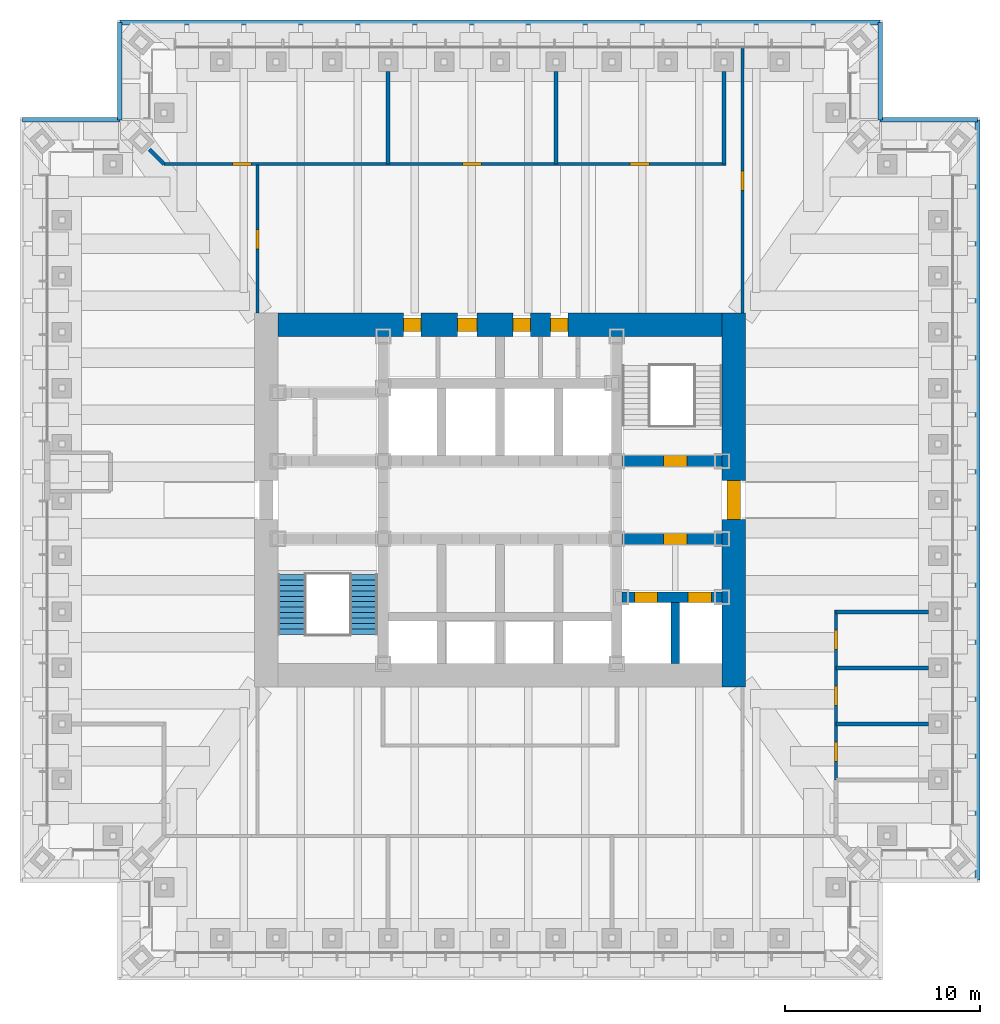
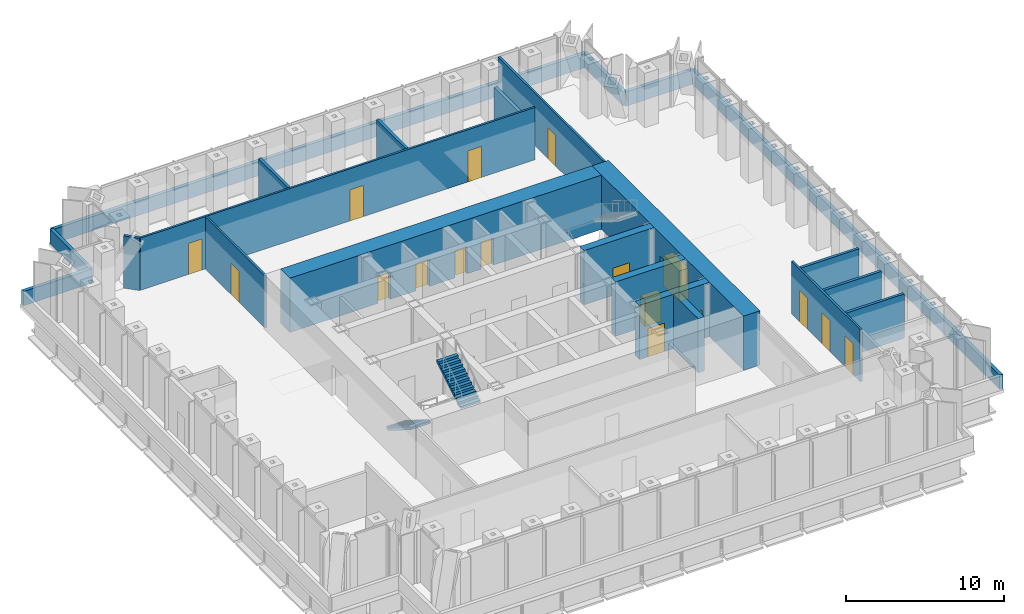
# One storey, part 10 of 13: 23 walls, 17 doors, 2 stair flights, 17 openings, 1 element without a shape of its own.
"""IFC4 building model written with IfcOpenShell, lengths in metres."""

from ifc_helpers import new_model, si_unit, direction, frame, frame_2d, origin, place, context, subcontext, project, spatial, polyline, rectangle, outline, extrude, material, layer, layer_set, type_object, element, fill, aggregate, save


model = new_model("IFC4")

# Units and contexts
model_context = context("Model", 3, precision=1e-05, world=origin(), true_north=direction((0.0, 1.0)))
body_context = subcontext(model_context, "Body", "Model", "MODEL_VIEW")
ifc_project = project(units=[si_unit("LENGTHUNIT", "METRE"), si_unit("AREAUNIT", "SQUARE_METRE"), si_unit("VOLUMEUNIT", "CUBIC_METRE"), si_unit("PLANEANGLEUNIT", "RADIAN"), si_unit("MASSUNIT", "GRAM", prefix="KILO")], contexts=[model_context])

# Site, building, storey
site_placement = place(None, origin())
site = spatial("IfcSite", under=ifc_project, at=site_placement, CompositionType="ELEMENT")
building_placement = place(site_placement, origin())
building = spatial("IfcBuilding", under=site, at=building_placement, Name="Daluyong Arena Tower", CompositionType="ELEMENT")
storey_placement = place(building_placement, frame((0.0, 0.0, 108.10009765625)))
storey = spatial("IfcBuildingStorey", under=building, at=storey_placement, Name="L23", CompositionType="ELEMENT", Elevation=108.10009765625)

# Wall, openings, doors
ifc_material_1 = material(Name="Concrete fc' 45 MPa", Category="concrete")
ifc_layer_1 = layer(ifc_material_1, 0.550048828125)
ifc_layer_set_1 = layer_set([ifc_layer_1], Name="Concrete fc' 45 MPa")
wall_type_1 = type_object("IfcWallType", Name="Core inner wall 550", PredefinedType="SHEAR", material=ifc_layer_set_1)
wall_1_placement = place(storey_placement, frame((62.27490234375, 75.0, 0.0), z_axis=(0.0, 0.0, 1.0), x_axis=(1.0, 0.0, 0.0)))
wall_1 = element("IfcWall", 1, at=wall_1_placement, inside=storey, type_object=wall_type_1, Name="core inner wall at L23", PredefinedType="SHEAR", context=body_context, shape_type="SweptSolid", body=[
    extrude(rectangle(XDim=5.125, YDim=0.550048828125, at=frame_2d((2.5625, 0.0))), origin(), (0.0, 0.0, 1.0), 4.199951171875),
])
opening_1_placement = place(wall_1_placement, frame((0.625, 0.0, 0.0)))
opening_1 = element("IfcOpeningElement", 2, at=opening_1_placement, cuts=wall_1, Name="Opening 23024", PredefinedType="OPENING", context=body_context, shape_type="SweptSolid", body=[
    extrude(rectangle(XDim=1.199951171875, YDim=2.199951171875, at=frame_2d((0.60009765625, 1.10009765625))), frame((0.0, 0.284912109375, 0.0), z_axis=(0.0, -1.0, 0.0), x_axis=(1.0, 0.0, 0.0)), (0.0, 0.0, 1.0), 0.570068359375),
])
opening_2_placement = place(wall_1_placement, frame((3.375, 0.0, 0.0)))
opening_2 = element("IfcOpeningElement", 3, at=opening_2_placement, cuts=wall_1, Name="Opening 23025", PredefinedType="OPENING", context=body_context, shape_type="SweptSolid", body=[
    extrude(rectangle(XDim=1.199951171875, YDim=2.199951171875, at=frame_2d((0.60009765625, 1.10009765625))), frame((0.0, 0.284912109375, 0.0), z_axis=(0.0, -1.0, 0.0), x_axis=(1.0, 0.0, 0.0)), (0.0, 0.0, 1.0), 0.570068359375),
])
ifc_material_2 = material(Name="Steel door, fire rated", Category="steel")
door_type_1 = type_object("IfcDoorType", Name="Firefighting lift landing door 1200", OperationType="SLIDING_TO_LEFT", PredefinedType="DOOR", material=ifc_material_2)
door_1_placement = place(opening_1_placement, origin())
door_1 = element("IfcDoor", 4, at=door_1_placement, inside=storey, type_object=door_type_1, Name="firefighting lift landing door F1 23024", OperationType="SLIDING_TO_LEFT", OverallHeight=2.199951171875, OverallWidth=1.199951171875, PredefinedType="DOOR", context=body_context, shape_type="SweptSolid", body=[
    extrude(rectangle(XDim=1.199951171875, YDim=2.199951171875, at=frame_2d((0.60009765625, 1.10009765625))), frame((0.0, 0.27490234375, 0.0), z_axis=(0.0, -1.0, 0.0), x_axis=(1.0, 0.0, 0.0)), (0.0, 0.0, 1.0), 0.549560546875),
])
fill(opening_1, door_1)
door_2_placement = place(opening_2_placement, origin())
door_2 = element("IfcDoor", 5, at=door_2_placement, inside=storey, type_object=door_type_1, Name="firefighting lift landing door F2 23025", OperationType="SLIDING_TO_LEFT", OverallHeight=2.199951171875, OverallWidth=1.199951171875, PredefinedType="DOOR", context=body_context, shape_type="SweptSolid", body=[
    extrude(rectangle(XDim=1.199951171875, YDim=2.199951171875, at=frame_2d((0.60009765625, 1.10009765625))), frame((0.0, 0.27490234375, 0.0), z_axis=(0.0, -1.0, 0.0), x_axis=(1.0, 0.0, 0.0)), (0.0, 0.0, 1.0), 0.549560546875),
])
fill(opening_2, door_2)

# Wall, opening, door
wall_2_placement = place(storey_placement, frame((62.27490234375, 78.0, 0.0), z_axis=(0.0, 0.0, 1.0), x_axis=(1.0, 0.0, 0.0)))
wall_2 = element("IfcWall", 6, at=wall_2_placement, inside=storey, type_object=wall_type_1, Name="core inner wall at L23", PredefinedType="SHEAR", context=body_context, shape_type="SweptSolid", body=[
    extrude(rectangle(XDim=5.125, YDim=0.550048828125, at=frame_2d((2.5625, 0.0))), origin(), (0.0, 0.0, 1.0), 4.199951171875),
])
opening_3_placement = place(wall_2_placement, frame((2.125, 0.0, 0.0)))
opening_3 = element("IfcOpeningElement", 7, at=opening_3_placement, cuts=wall_2, Name="Opening 23019", PredefinedType="OPENING", context=body_context, shape_type="SweptSolid", body=[
    extrude(rectangle(XDim=1.199951171875, YDim=2.10009765625, at=frame_2d((0.60009765625, 1.050048828125))), frame((0.0, 0.284912109375, 0.0), z_axis=(0.0, -1.0, 0.0), x_axis=(1.0, 0.0, 0.0)), (0.0, 0.0, 1.0), 0.570068359375),
])
ifc_material_3 = material(Name="Steel door, fire rated", Category="steel")
door_type_2 = type_object("IfcDoorType", Name="Firefighting lobby door 1200", OperationType="SINGLE_SWING_RIGHT", PredefinedType="DOOR", material=ifc_material_3)
door_3_placement = place(opening_3_placement, origin())
door_3 = element("IfcDoor", 8, at=door_3_placement, inside=storey, type_object=door_type_2, Name="firefighting lobby door 23019", OperationType="SINGLE_SWING_RIGHT", OverallHeight=2.10009765625, OverallWidth=1.199951171875, PredefinedType="DOOR", context=body_context, shape_type="SweptSolid", body=[
    extrude(rectangle(XDim=1.199951171875, YDim=2.10009765625, at=frame_2d((0.60009765625, 1.050048828125))), frame((0.0, 0.27490234375, 0.0), z_axis=(0.0, -1.0, 0.0), x_axis=(1.0, 0.0, 0.0)), (0.0, 0.0, 1.0), 0.549560546875),
])
fill(opening_3, door_3)

wall_3_placement = place(storey_placement, frame((62.27490234375, 82.0, 0.0), z_axis=(0.0, 0.0, 1.0), x_axis=(1.0, 0.0, 0.0)))
wall_3 = element("IfcWall", 9, at=wall_3_placement, inside=storey, type_object=wall_type_1, Name="core inner wall at L23", PredefinedType="SHEAR", context=body_context, shape_type="SweptSolid", body=[
    extrude(rectangle(XDim=5.125, YDim=0.550048828125, at=frame_2d((2.5625, 0.0))), origin(), (0.0, 0.0, 1.0), 4.199951171875),
])
opening_4_placement = place(wall_3_placement, frame((2.125, 0.0, 0.0)))
opening_4 = element("IfcOpeningElement", 10, at=opening_4_placement, cuts=wall_3, Name="Opening 23014", PredefinedType="OPENING", context=body_context, shape_type="SweptSolid", body=[
    extrude(rectangle(XDim=1.199951171875, YDim=2.10009765625, at=frame_2d((0.60009765625, 1.050048828125))), frame((0.0, 0.284912109375, 0.0), z_axis=(0.0, -1.0, 0.0), x_axis=(1.0, 0.0, 0.0)), (0.0, 0.0, 1.0), 0.570068359375),
])
ifc_material_4 = material(Name="Steel door, fire rated", Category="steel")
door_type_3 = type_object("IfcDoorType", Name="Stair door 1200", OperationType="SINGLE_SWING_LEFT", PredefinedType="DOOR", material=ifc_material_4)
door_4_placement = place(opening_4_placement, origin())
door_4 = element("IfcDoor", 11, at=door_4_placement, inside=storey, type_object=door_type_3, Name="stair B door 23014", OperationType="SINGLE_SWING_LEFT", OverallHeight=2.10009765625, OverallWidth=1.199951171875, PredefinedType="DOOR", context=body_context, shape_type="SweptSolid", body=[
    extrude(rectangle(XDim=1.199951171875, YDim=2.10009765625, at=frame_2d((0.60009765625, 1.050048828125))), frame((0.0, 0.27490234375, 0.0), z_axis=(0.0, -1.0, 0.0), x_axis=(1.0, 0.0, 0.0)), (0.0, 0.0, 1.0), 0.549560546875),
])
fill(opening_4, door_4)

ifc_material_5 = material(Name="Concrete fc' 60 MPa", Category="concrete")
ifc_layer_2 = layer(ifc_material_5, 1.199951171875)
ifc_layer_set_2 = layer_set([ifc_layer_2], Name="Concrete fc' 60 MPa")
wall_type_2 = type_object("IfcWallType", Name="Core wall 1200", PredefinedType="SHEAR", material=ifc_layer_set_2)
wall_4_placement = place(storey_placement, frame((68.0, 70.39990234375, 0.0), z_axis=(0.0, 0.0, 1.0), x_axis=(0.0, 1.0, 0.0)))
wall_4 = element("IfcWall", 12, at=wall_4_placement, inside=storey, type_object=wall_type_2, Name="core wall at L23", PredefinedType="SHEAR", context=body_context, shape_type="SweptSolid", body=[
    extrude(rectangle(XDim=19.2001953125, YDim=1.199951171875, at=frame_2d((9.60009765625, 0.0))), origin(), (0.0, 0.0, 1.0), 4.199951171875),
])
opening_5_placement = place(wall_4_placement, frame((8.60009765625, 0.0, 0.0)))
opening_5 = element("IfcOpeningElement", 13, at=opening_5_placement, cuts=wall_4, Name="Opening 23016", PredefinedType="OPENING", context=body_context, shape_type="SweptSolid", body=[
    extrude(rectangle(XDim=2.0, YDim=2.39990234375, at=frame_2d((1.0, 1.199951171875))), frame((0.0, 0.60986328125, 0.0), z_axis=(0.0, -1.0, 0.0), x_axis=(1.0, 0.0, 0.0)), (0.0, 0.0, 1.0), 1.219970703125),
])
ifc_material_6 = material(Name="Steel door, fire rated", Category="steel")
door_type_4 = type_object("IfcDoorType", Name="Core lobby double door 2000", OperationType="DOUBLE_DOOR_SINGLE_SWING", PredefinedType="DOOR", material=ifc_material_6)
door_5_placement = place(opening_5_placement, origin())
door_5 = element("IfcDoor", 14, at=door_5_placement, inside=storey, type_object=door_type_4, Name="core lobby door east 23016", OperationType="DOUBLE_DOOR_SINGLE_SWING", OverallHeight=2.39990234375, OverallWidth=2.0, PredefinedType="DOOR", context=body_context, shape_type="SweptSolid", body=[
    extrude(rectangle(XDim=2.0, YDim=2.39990234375, at=frame_2d((1.0, 1.199951171875))), frame((0.0, 0.35009765625, 0.0), z_axis=(0.0, -1.0, 0.0), x_axis=(1.0, 0.0, 0.0)), (0.0, 0.0, 1.0), 0.699951171875),
])
fill(opening_5, door_5)

# Wall, openings, doors
wall_5_placement = place(storey_placement, frame((44.60009765625, 89.0, 0.0), z_axis=(0.0, 0.0, 1.0), x_axis=(1.0, 0.0, 0.0)))
wall_5 = element("IfcWall", 15, at=wall_5_placement, inside=storey, type_object=wall_type_2, Name="core wall at L23", PredefinedType="SHEAR", context=body_context, shape_type="SweptSolid", body=[
    extrude(rectangle(XDim=22.7998046875, YDim=1.199951171875, at=frame_2d((11.39990234375, 0.0))), origin(), (0.0, 0.0, 1.0), 4.199951171875),
])
opening_6_placement = place(wall_5_placement, frame((9.22509765625, 0.0, 0.0)))
opening_6 = element("IfcOpeningElement", 16, at=opening_6_placement, cuts=wall_5, Name="Opening 23004", PredefinedType="OPENING", context=body_context, shape_type="SweptSolid", body=[
    extrude(rectangle(XDim=1.0, YDim=2.10009765625, at=frame_2d((0.5, 1.050048828125))), frame((0.0, 0.60986328125, 0.0), z_axis=(0.0, -1.0, 0.0), x_axis=(1.0, 0.0, 0.0)), (0.0, 0.0, 1.0), 1.219970703125),
])
opening_7_placement = place(wall_5_placement, frame((6.449951171875, 0.0, 0.0)))
opening_7 = element("IfcOpeningElement", 17, at=opening_7_placement, cuts=wall_5, Name="Opening 23005", PredefinedType="OPENING", context=body_context, shape_type="SweptSolid", body=[
    extrude(rectangle(XDim=0.89990234375, YDim=2.10009765625, at=frame_2d((0.449951171875, 1.050048828125))), frame((0.0, 0.60986328125, 0.0), z_axis=(0.0, -1.0, 0.0), x_axis=(1.0, 0.0, 0.0)), (0.0, 0.0, 1.0), 1.219970703125),
])
opening_8_placement = place(wall_5_placement, frame((12.074951171875, 0.0, 0.0)))
opening_8 = element("IfcOpeningElement", 18, at=opening_8_placement, cuts=wall_5, Name="Opening 23006", PredefinedType="OPENING", context=body_context, shape_type="SweptSolid", body=[
    extrude(rectangle(XDim=0.89990234375, YDim=2.10009765625, at=frame_2d((0.449951171875, 1.050048828125))), frame((0.0, 0.60986328125, 0.0), z_axis=(0.0, -1.0, 0.0), x_axis=(1.0, 0.0, 0.0)), (0.0, 0.0, 1.0), 1.219970703125),
])
opening_9_placement = place(wall_5_placement, frame((13.987548828125, 0.0, 0.0)))
opening_9 = element("IfcOpeningElement", 19, at=opening_9_placement, cuts=wall_5, Name="Opening 23007", PredefinedType="OPENING", context=body_context, shape_type="SweptSolid", body=[
    extrude(rectangle(XDim=0.89990234375, YDim=2.10009765625, at=frame_2d((0.449951171875, 1.050048828125))), frame((0.0, 0.60986328125, 0.0), z_axis=(0.0, -1.0, 0.0), x_axis=(1.0, 0.0, 0.0)), (0.0, 0.0, 1.0), 1.219970703125),
])
ifc_material_7 = material(Name="Timber door", Category="wood")
door_type_5 = type_object("IfcDoorType", Name="Accessible toilet door 1000", OperationType="SINGLE_SWING_LEFT", PredefinedType="DOOR", material=ifc_material_7)
door_6_placement = place(opening_6_placement, origin())
door_6 = element("IfcDoor", 20, at=door_6_placement, inside=storey, type_object=door_type_5, Name="accessible toilet door 23004", OperationType="SINGLE_SWING_LEFT", OverallHeight=2.10009765625, OverallWidth=1.0, PredefinedType="DOOR", context=body_context, shape_type="SweptSolid", body=[
    extrude(rectangle(XDim=1.0, YDim=2.10009765625, at=frame_2d((0.5, 1.050048828125))), frame((0.0, 0.35009765625, 0.0), z_axis=(0.0, -1.0, 0.0), x_axis=(1.0, 0.0, 0.0)), (0.0, 0.0, 1.0), 0.699951171875),
])
fill(opening_6, door_6)
ifc_material_8 = material(Name="Steel door, fire rated", Category="steel")
door_type_6 = type_object("IfcDoorType", Name="Core room door 900", OperationType="SINGLE_SWING_LEFT", PredefinedType="DOOR", material=ifc_material_8)
door_7_placement = place(opening_9_placement, origin())
door_7 = element("IfcDoor", 21, at=door_7_placement, inside=storey, type_object=door_type_6, Name="parcel room door 23007", OperationType="SINGLE_SWING_LEFT", OverallHeight=2.10009765625, OverallWidth=0.89990234375, PredefinedType="DOOR", context=body_context, shape_type="SweptSolid", body=[
    extrude(rectangle(XDim=0.89990234375, YDim=2.10009765625, at=frame_2d((0.449951171875, 1.050048828125))), frame((0.0, 0.35009765625, 0.0), z_axis=(0.0, -1.0, 0.0), x_axis=(1.0, 0.0, 0.0)), (0.0, 0.0, 1.0), 0.699951171875),
])
fill(opening_9, door_7)
ifc_material_9 = material(Name="Steel door, fire rated", Category="steel")
door_type_7 = type_object("IfcDoorType", Name="Core store door 900", OperationType="SINGLE_SWING_LEFT", PredefinedType="DOOR", material=ifc_material_9)
door_8_placement = place(opening_7_placement, origin())
door_8 = element("IfcDoor", 22, at=door_8_placement, inside=storey, type_object=door_type_7, Name="security store door 23005", OperationType="SINGLE_SWING_LEFT", OverallHeight=2.10009765625, OverallWidth=0.89990234375, PredefinedType="DOOR", context=body_context, shape_type="SweptSolid", body=[
    extrude(rectangle(XDim=0.89990234375, YDim=2.10009765625, at=frame_2d((0.449951171875, 1.050048828125))), frame((0.0, 0.35009765625, 0.0), z_axis=(0.0, -1.0, 0.0), x_axis=(1.0, 0.0, 0.0)), (0.0, 0.0, 1.0), 0.699951171875),
])
fill(opening_7, door_8)
door_9_placement = place(opening_8_placement, origin())
door_9 = element("IfcDoor", 23, at=door_9_placement, inside=storey, type_object=door_type_7, Name="tenant store door 23006", OperationType="SINGLE_SWING_LEFT", OverallHeight=2.10009765625, OverallWidth=0.89990234375, PredefinedType="DOOR", context=body_context, shape_type="SweptSolid", body=[
    extrude(rectangle(XDim=0.89990234375, YDim=2.10009765625, at=frame_2d((0.449951171875, 1.050048828125))), frame((0.0, 0.35009765625, 0.0), z_axis=(0.0, -1.0, 0.0), x_axis=(1.0, 0.0, 0.0)), (0.0, 0.0, 1.0), 0.699951171875),
])
fill(opening_8, door_9)

ifc_material_10 = material(Name="Glazed aluminium partition", Category="aluminium")
ifc_layer_3 = layer(ifc_material_10, 0.14990234375)
ifc_layer_set_3 = layer_set([ifc_layer_3], Name="Glazed aluminium partition")
wall_type_3 = type_object("IfcWallType", Name="Glazed partition 150", PredefinedType="PARTITIONING", material=ifc_layer_set_3)
wall_6_placement = place(storey_placement, frame((38.75, 97.25, 0.0), z_axis=(0.0, 0.0, 1.0), x_axis=(1.0, 0.0, 0.0)))
wall_6 = element("IfcWall", 24, at=wall_6_placement, inside=storey, type_object=wall_type_3, Name="glazed partition at L23", PredefinedType="PARTITIONING", context=body_context, shape_type="SweptSolid", body=[
    extrude(rectangle(XDim=28.85009765625, YDim=0.14990234375, at=frame_2d((14.425048828125, 0.0))), origin(), (0.0, 0.0, 1.0), 4.039794921875),
])
opening_10_placement = place(wall_6_placement, frame((3.5, 0.0, 0.0)))
opening_10 = element("IfcOpeningElement", 25, at=opening_10_placement, cuts=wall_6, Name="Opening 23033", PredefinedType="OPENING", context=body_context, shape_type="SweptSolid", body=[
    extrude(rectangle(XDim=1.0, YDim=2.39990234375, at=frame_2d((0.5, 1.199951171875))), frame((0.0, 0.0849609375, 0.0), z_axis=(0.0, -1.0, 0.0), x_axis=(1.0, 0.0, 0.0)), (0.0, 0.0, 1.0), 0.169921875),
])
opening_11_placement = place(wall_6_placement, frame((15.3125, 0.0, 0.0)))
opening_11 = element("IfcOpeningElement", 26, at=opening_11_placement, cuts=wall_6, Name="Opening 23034", PredefinedType="OPENING", context=body_context, shape_type="SweptSolid", body=[
    extrude(rectangle(XDim=1.0, YDim=2.39990234375, at=frame_2d((0.5, 1.199951171875))), frame((0.0, 0.0849609375, 0.0), z_axis=(0.0, -1.0, 0.0), x_axis=(1.0, 0.0, 0.0)), (0.0, 0.0, 1.0), 0.169921875),
])
opening_12_placement = place(wall_6_placement, frame((23.9375, 0.0, 0.0)))
opening_12 = element("IfcOpeningElement", 27, at=opening_12_placement, cuts=wall_6, Name="Opening 23035", PredefinedType="OPENING", context=body_context, shape_type="SweptSolid", body=[
    extrude(rectangle(XDim=1.0, YDim=2.39990234375, at=frame_2d((0.5, 1.199951171875))), frame((0.0, 0.0849609375, 0.0), z_axis=(0.0, -1.0, 0.0), x_axis=(1.0, 0.0, 0.0)), (0.0, 0.0, 1.0), 0.169921875),
])
ifc_material_11 = material(Name="Glazed aluminium door", Category="aluminium")
door_type_8 = type_object("IfcDoorType", Name="Meeting room glazed door 1000", OperationType="SINGLE_SWING_RIGHT", PredefinedType="DOOR", material=ifc_material_11)
door_10_placement = place(opening_10_placement, origin())
door_10 = element("IfcDoor", 28, at=door_10_placement, inside=storey, type_object=door_type_8, Name="boardroom door 23033", OperationType="SINGLE_SWING_RIGHT", OverallHeight=2.39990234375, OverallWidth=1.0, PredefinedType="DOOR", context=body_context, shape_type="SweptSolid", body=[
    extrude(rectangle(XDim=1.0, YDim=2.39990234375, at=frame_2d((0.5, 1.199951171875))), frame((0.0, 0.07470703125, 0.0), z_axis=(0.0, -1.0, 0.0), x_axis=(1.0, 0.0, 0.0)), (0.0, 0.0, 1.0), 0.1494140625),
])
fill(opening_10, door_10)
door_11_placement = place(opening_11_placement, origin())
door_11 = element("IfcDoor", 29, at=door_11_placement, inside=storey, type_object=door_type_8, Name="meeting room door 23034", OperationType="SINGLE_SWING_RIGHT", OverallHeight=2.39990234375, OverallWidth=1.0, PredefinedType="DOOR", context=body_context, shape_type="SweptSolid", body=[
    extrude(rectangle(XDim=1.0, YDim=2.39990234375, at=frame_2d((0.5, 1.199951171875))), frame((0.0, 0.07470703125, 0.0), z_axis=(0.0, -1.0, 0.0), x_axis=(1.0, 0.0, 0.0)), (0.0, 0.0, 1.0), 0.1494140625),
])
fill(opening_11, door_11)
door_12_placement = place(opening_12_placement, origin())
door_12 = element("IfcDoor", 30, at=door_12_placement, inside=storey, type_object=door_type_8, Name="meeting room door 23035", OperationType="SINGLE_SWING_RIGHT", OverallHeight=2.39990234375, OverallWidth=1.0, PredefinedType="DOOR", context=body_context, shape_type="SweptSolid", body=[
    extrude(rectangle(XDim=1.0, YDim=2.39990234375, at=frame_2d((0.5, 1.199951171875))), frame((0.0, 0.07470703125, 0.0), z_axis=(0.0, -1.0, 0.0), x_axis=(1.0, 0.0, 0.0)), (0.0, 0.0, 1.0), 0.1494140625),
])
fill(opening_12, door_12)

# Wall, opening, door
wall_7_placement = place(storey_placement, frame((43.550048828125, 89.60009765625, 0.0), z_axis=(0.0, 0.0, 1.0), x_axis=(0.0, 1.0, 0.0)))
wall_7 = element("IfcWall", 31, at=wall_7_placement, inside=storey, type_object=wall_type_3, Name="glazed partition at L23", PredefinedType="PARTITIONING", context=body_context, shape_type="SweptSolid", body=[
    extrude(rectangle(XDim=7.599853515625, YDim=0.14990234375, at=frame_2d((3.7998046875, 0.0))), origin(), (0.0, 0.0, 1.0), 4.039794921875),
])
opening_13_placement = place(wall_7_placement, frame((3.300048828125, 0.0, 0.0)))
opening_13 = element("IfcOpeningElement", 32, at=opening_13_placement, cuts=wall_7, Name="Opening 23040", PredefinedType="OPENING", context=body_context, shape_type="SweptSolid", body=[
    extrude(rectangle(XDim=1.0, YDim=2.39990234375, at=frame_2d((0.5, 1.199951171875))), frame((0.0, 0.0849609375, 0.0), z_axis=(0.0, -1.0, 0.0), x_axis=(1.0, 0.0, 0.0)), (0.0, 0.0, 1.0), 0.169921875),
])
door_13_placement = place(opening_13_placement, origin())
door_13 = element("IfcDoor", 33, at=door_13_placement, inside=storey, type_object=door_type_8, Name="team area screen door 23040", OperationType="SINGLE_SWING_RIGHT", OverallHeight=2.39990234375, OverallWidth=1.0, PredefinedType="DOOR", context=body_context, shape_type="SweptSolid", body=[
    extrude(rectangle(XDim=1.0, YDim=2.39990234375, at=frame_2d((0.5, 1.199951171875))), frame((0.0, 0.07470703125, 0.0), z_axis=(0.0, -1.0, 0.0), x_axis=(1.0, 0.0, 0.0)), (0.0, 0.0, 1.0), 0.1494140625),
])
fill(opening_13, door_13)

wall_8_placement = place(storey_placement, frame((68.449951171875, 89.60009765625, 0.0), z_axis=(0.0, 0.0, 1.0), x_axis=(0.0, 1.0, 0.0)))
wall_8 = element("IfcWall", 34, at=wall_8_placement, inside=storey, type_object=wall_type_3, Name="glazed partition at L23", PredefinedType="PARTITIONING", context=body_context, shape_type="SweptSolid", body=[
    extrude(rectangle(XDim=13.58984375, YDim=0.14990234375, at=frame_2d((6.794921875, 0.0))), origin(), (0.0, 0.0, 1.0), 4.039794921875),
])
opening_14_placement = place(wall_8_placement, frame((6.294921875, 0.0, 0.0)))
opening_14 = element("IfcOpeningElement", 35, at=opening_14_placement, cuts=wall_8, Name="Opening 23041", PredefinedType="OPENING", context=body_context, shape_type="SweptSolid", body=[
    extrude(rectangle(XDim=1.0, YDim=2.39990234375, at=frame_2d((0.5, 1.199951171875))), frame((0.0, 0.0849609375, 0.0), z_axis=(0.0, -1.0, 0.0), x_axis=(1.0, 0.0, 0.0)), (0.0, 0.0, 1.0), 0.169921875),
])
door_14_placement = place(opening_14_placement, origin())
door_14 = element("IfcDoor", 36, at=door_14_placement, inside=storey, type_object=door_type_8, Name="team area screen door 23041", OperationType="SINGLE_SWING_RIGHT", OverallHeight=2.39990234375, OverallWidth=1.0, PredefinedType="DOOR", context=body_context, shape_type="SweptSolid", body=[
    extrude(rectangle(XDim=1.0, YDim=2.39990234375, at=frame_2d((0.5, 1.199951171875))), frame((0.0, 0.07470703125, 0.0), z_axis=(0.0, -1.0, 0.0), x_axis=(1.0, 0.0, 0.0)), (0.0, 0.0, 1.0), 0.1494140625),
])
fill(opening_14, door_14)

# Wall, openings, doors
wall_9_placement = place(storey_placement, frame((73.25, 65.625, 0.0), z_axis=(0.0, 0.0, 1.0), x_axis=(0.0, 1.0, 0.0)))
wall_9 = element("IfcWall", 37, at=wall_9_placement, inside=storey, type_object=wall_type_3, Name="glazed partition at L23", PredefinedType="PARTITIONING", context=body_context, shape_type="SweptSolid", body=[
    extrude(rectangle(XDim=8.72509765625, YDim=0.14990234375, at=frame_2d((4.362548828125, 0.0))), origin(), (0.0, 0.0, 1.0), 4.039794921875),
])
opening_15_placement = place(wall_9_placement, frame((0.9375, 0.0, 0.0)))
opening_15 = element("IfcOpeningElement", 38, at=opening_15_placement, cuts=wall_9, Name="Opening 23030", PredefinedType="OPENING", context=body_context, shape_type="SweptSolid", body=[
    extrude(rectangle(XDim=1.0, YDim=2.39990234375, at=frame_2d((0.5, 1.199951171875))), frame((0.0, 0.0849609375, 0.0), z_axis=(0.0, -1.0, 0.0), x_axis=(1.0, 0.0, 0.0)), (0.0, 0.0, 1.0), 0.169921875),
])
opening_16_placement = place(wall_9_placement, frame((3.8125, 0.0, 0.0)))
opening_16 = element("IfcOpeningElement", 39, at=opening_16_placement, cuts=wall_9, Name="Opening 23031", PredefinedType="OPENING", context=body_context, shape_type="SweptSolid", body=[
    extrude(rectangle(XDim=1.0, YDim=2.39990234375, at=frame_2d((0.5, 1.199951171875))), frame((0.0, 0.0849609375, 0.0), z_axis=(0.0, -1.0, 0.0), x_axis=(1.0, 0.0, 0.0)), (0.0, 0.0, 1.0), 0.169921875),
])
opening_17_placement = place(wall_9_placement, frame((6.6875, 0.0, 0.0)))
opening_17 = element("IfcOpeningElement", 40, at=opening_17_placement, cuts=wall_9, Name="Opening 23032", PredefinedType="OPENING", context=body_context, shape_type="SweptSolid", body=[
    extrude(rectangle(XDim=1.0, YDim=2.39990234375, at=frame_2d((0.5, 1.199951171875))), frame((0.0, 0.0849609375, 0.0), z_axis=(0.0, -1.0, 0.0), x_axis=(1.0, 0.0, 0.0)), (0.0, 0.0, 1.0), 0.169921875),
])
door_15_placement = place(opening_15_placement, origin())
door_15 = element("IfcDoor", 41, at=door_15_placement, inside=storey, type_object=door_type_8, Name="focus room door 23030", OperationType="SINGLE_SWING_RIGHT", OverallHeight=2.39990234375, OverallWidth=1.0, PredefinedType="DOOR", context=body_context, shape_type="SweptSolid", body=[
    extrude(rectangle(XDim=1.0, YDim=2.39990234375, at=frame_2d((0.5, 1.199951171875))), frame((0.0, 0.07470703125, 0.0), z_axis=(0.0, -1.0, 0.0), x_axis=(1.0, 0.0, 0.0)), (0.0, 0.0, 1.0), 0.1494140625),
])
fill(opening_15, door_15)
door_16_placement = place(opening_16_placement, origin())
door_16 = element("IfcDoor", 42, at=door_16_placement, inside=storey, type_object=door_type_8, Name="focus room door 23031", OperationType="SINGLE_SWING_RIGHT", OverallHeight=2.39990234375, OverallWidth=1.0, PredefinedType="DOOR", context=body_context, shape_type="SweptSolid", body=[
    extrude(rectangle(XDim=1.0, YDim=2.39990234375, at=frame_2d((0.5, 1.199951171875))), frame((0.0, 0.07470703125, 0.0), z_axis=(0.0, -1.0, 0.0), x_axis=(1.0, 0.0, 0.0)), (0.0, 0.0, 1.0), 0.1494140625),
])
fill(opening_16, door_16)
door_17_placement = place(opening_17_placement, origin())
door_17 = element("IfcDoor", 43, at=door_17_placement, inside=storey, type_object=door_type_8, Name="focus room door 23032", OperationType="SINGLE_SWING_RIGHT", OverallHeight=2.39990234375, OverallWidth=1.0, PredefinedType="DOOR", context=body_context, shape_type="SweptSolid", body=[
    extrude(rectangle(XDim=1.0, YDim=2.39990234375, at=frame_2d((0.5, 1.199951171875))), frame((0.0, 0.07470703125, 0.0), z_axis=(0.0, -1.0, 0.0), x_axis=(1.0, 0.0, 0.0)), (0.0, 0.0, 1.0), 0.1494140625),
])
fill(opening_17, door_17)

# Walls
ifc_material_12 = material(Name="Concrete fc' 45 MPa", Category="concrete")
ifc_layer_4 = layer(ifc_material_12, 0.449951171875)
ifc_layer_set_4 = layer_set([ifc_layer_4], Name="Concrete fc' 45 MPa")
wall_type_4 = type_object("IfcWallType", Name="Lift shaft wall 450", PredefinedType="SHEAR", material=ifc_layer_set_4)
wall_10_placement = place(storey_placement, frame((65.0, 71.60009765625, 0.0), z_axis=(0.0, 0.0, 1.0), x_axis=(0.0, 1.0, 0.0)))
element("IfcWall", 44, at=wall_10_placement, inside=storey, type_object=wall_type_4, Name="lift shaft wall at L23", PredefinedType="SHEAR", context=body_context, shape_type="SweptSolid", body=[
    extrude(rectangle(XDim=3.125, YDim=0.449951171875, at=frame_2d((1.5625, 0.0))), origin(), (0.0, 0.0, 1.0), 4.199951171875),
])
ifc_material_13 = material(Name="Concrete block partition", Category="concrete")
ifc_layer_5 = layer(ifc_material_13, 0.199951171875)
ifc_layer_set_5 = layer_set([ifc_layer_5], Name="Concrete block partition")
wall_type_5 = type_object("IfcWallType", Name="Partition 200", PredefinedType="PARTITIONING", material=ifc_layer_set_5)
for number, where, z_axis, x_axis, name in (
    (45, (73.25, 68.5, 0.0), (0.0, 0.0, 1.0), (1.0, 0.0, 0.0), "partition at L23"),
    (46, (73.25, 71.375, 0.0), (0.0, 0.0, 1.0), (1.0, 0.0, 0.0), "partition at L23"),
    (47, (73.25, 74.25, 0.0), (0.0, 0.0, 1.0), (1.0, 0.0, 0.0), "partition at L23"),
):
    element("IfcWall", number, at=place(storey_placement, frame(where, z_axis=z_axis, x_axis=x_axis)), inside=storey, type_object=wall_type_5, Name=name, PredefinedType="PARTITIONING", context=body_context, shape_type="SweptSolid", body=[
        extrude(rectangle(XDim=4.75, YDim=0.199951171875, at=frame_2d((2.375, 0.0))), origin(), (0.0, 0.0, 1.0), 3.427734375),
    ])
for number, where, z_axis, x_axis, name in (
    (48, (50.25, 97.25, 0.0), (0.0, 0.0, 1.0), (0.0, 1.0, 0.0), "partition at L23"),
    (49, (58.875, 97.25, 0.0), (0.0, 0.0, 1.0), (0.0, 1.0, 0.0), "partition at L23"),
):
    element("IfcWall", number, at=place(storey_placement, frame(where, z_axis=z_axis, x_axis=x_axis)), inside=storey, type_object=wall_type_5, Name=name, PredefinedType="PARTITIONING", context=body_context, shape_type="SweptSolid", body=[
        extrude(rectangle(XDim=4.75, YDim=0.199951171875, at=frame_2d((2.375, 0.0))), origin(), (0.0, 0.0, 1.0), 3.27783203125),
    ])
wall_11_placement = place(storey_placement, frame((67.5, 97.25, 0.0), z_axis=(0.0, 0.0, 1.0), x_axis=(0.0, 1.0, 0.0)))
element("IfcWall", 50, at=wall_11_placement, inside=storey, type_object=wall_type_5, Name="partition at L23", PredefinedType="PARTITIONING", context=body_context, shape_type="SweptSolid", body=[
    extrude(rectangle(XDim=4.75, YDim=0.199951171875, at=frame_2d((2.375, 0.0))), origin(), (0.0, 0.0, 1.0), 2.739990234375),
])
wall_12_placement = place(storey_placement, frame((38.75, 97.25, 0.0), z_axis=(0.0, 0.0, 1.0), x_axis=(-0.707106781187, 0.707106781187, 0.0)))
element("IfcWall", 51, at=wall_12_placement, inside=storey, type_object=wall_type_5, Name="partition at L23", PredefinedType="PARTITIONING", context=body_context, shape_type="SweptSolid", body=[
    extrude(rectangle(XDim=1.060546875, YDim=0.199951171875, at=frame_2d((0.5302734375, 0.0))), origin(), (0.0, 0.0, 1.0), 4.039794921875),
])
ifc_material_14 = material(Name="Precast concrete fc' 45 MPa", Category="concrete")
ifc_layer_6 = layer(ifc_material_14, 0.25)
ifc_layer_set_6 = layer_set([ifc_layer_6], Name="Precast concrete fc' 45 MPa")
wall_type_6 = type_object("IfcWallType", Name="Setback roof parapet 250", PredefinedType="PARAPET", material=ifc_layer_set_6)
for number, where, z_axis, x_axis, name in (
    (52, (31.47509765625, 99.52490234375, 0.0), (0.0, 0.0, 1.0), (1.0, 0.0, 0.0), "setback roof parapet L23"),
    (53, (36.47509765625, 99.52490234375, 0.0), (0.0, 0.0, 1.0), (0.0, 1.0, 0.0), "setback roof parapet L23"),
):
    element("IfcWall", number, at=place(storey_placement, frame(where, z_axis=z_axis, x_axis=x_axis)), inside=storey, type_object=wall_type_6, Name=name, PredefinedType="PARAPET", context=body_context, shape_type="SweptSolid", body=[
        extrude(rectangle(XDim=5.0, YDim=0.25, at=frame_2d((2.5, 0.0))), origin(), (0.0, 0.0, 1.0), 1.099853515625),
    ])
wall_13_placement = place(storey_placement, frame((36.47509765625, 104.52490234375, 0.0), z_axis=(0.0, 0.0, 1.0), x_axis=(1.0, 0.0, 0.0)))
element("IfcWall", 54, at=wall_13_placement, inside=storey, type_object=wall_type_6, Name="setback roof parapet L23", PredefinedType="PARAPET", context=body_context, shape_type="SweptSolid", body=[
    extrude(rectangle(XDim=39.0498046875, YDim=0.25, at=frame_2d((19.52490234375, 0.0))), origin(), (0.0, 0.0, 1.0), 1.099853515625),
])
for number, where, z_axis, x_axis, name in (
    (55, (75.52490234375, 104.52490234375, 0.0), (0.0, 0.0, 1.0), (0.0, -1.0, 0.0), "setback roof parapet L23"),
    (56, (75.52490234375, 99.52490234375, 0.0), (0.0, 0.0, 1.0), (1.0, 0.0, 0.0), "setback roof parapet L23"),
):
    element("IfcWall", number, at=place(storey_placement, frame(where, z_axis=z_axis, x_axis=x_axis)), inside=storey, type_object=wall_type_6, Name=name, PredefinedType="PARAPET", context=body_context, shape_type="SweptSolid", body=[
        extrude(rectangle(XDim=5.0, YDim=0.25, at=frame_2d((2.5, 0.0))), origin(), (0.0, 0.0, 1.0), 1.099853515625),
    ])
wall_14_placement = place(storey_placement, frame((80.52490234375, 99.52490234375, 0.0), z_axis=(0.0, 0.0, 1.0), x_axis=(0.0, -1.0, 0.0)))
element("IfcWall", 57, at=wall_14_placement, inside=storey, type_object=wall_type_6, Name="setback roof parapet L23", PredefinedType="PARAPET", context=body_context, shape_type="SweptSolid", body=[
    extrude(rectangle(XDim=39.0498046875, YDim=0.25, at=frame_2d((19.52490234375, 0.0))), origin(), (0.0, 0.0, 1.0), 1.099853515625),
])

# Stair, stair flights
ifc_material_15 = material(Name="Concrete fc' 35 MPa", Category="concrete")
stair_type = type_object("IfcStairType", Name="Core exit stair", PredefinedType="HALF_TURN_STAIR", material=ifc_material_15)
stair_placement = place(storey_placement, origin())
stair = element("IfcStair", 58, at=stair_placement, inside=storey, type_object=stair_type, Name="exit stair A L23", PredefinedType="HALF_TURN_STAIR")
ifc_material_16 = material(Name="Concrete fc' 35 MPa", Category="concrete")
stair_flight_type = type_object("IfcStairFlightType", Name="Core stair flight", PredefinedType="STRAIGHT", material=ifc_material_16)
stair_flight_1_placement = place(storey_placement, frame((45.324951171875, 76.175048828125, 0.0), z_axis=(0.0, 0.0, 1.0), x_axis=(0.0, -1.0, 0.0)))
stair_flight_1 = element("IfcStairFlight", 59, at=stair_flight_1_placement, type_object=stair_flight_type, Name="STA flight 1", NumberOfRisers=12, NumberOfTreads=11, PredefinedType="STRAIGHT", RiserHeight=0.175, TreadLength=0.28, context=body_context, shape_type="SweptSolid", body=[
    extrude(outline(polyline([(0.0, 0.0), (0.0, 0.175048828125), (0.280029296875, 0.175048828125), (0.280029296875, 0.35009765625), (0.56005859375, 0.35009765625), (0.56005859375, 0.52490234375), (0.840087890625, 0.52490234375), (0.840087890625, 0.699951171875), (1.1201171875, 0.699951171875), (1.1201171875, 0.875), (1.39990234375, 0.875), (1.39990234375, 1.050048828125), (1.679931640625, 1.050048828125), (1.679931640625, 1.22509765625), (1.9599609375, 1.22509765625), (1.9599609375, 1.39990234375), (2.239990234375, 1.39990234375), (2.239990234375, 1.574951171875), (2.52001953125, 1.574951171875), (2.52001953125, 1.75), (2.800048828125, 1.75), (2.800048828125, 1.925048828125), (3.080078125, 1.925048828125), (3.080078125, 2.10009765625), (3.080078125, 1.748291015625), (0.28271484375, 0.0), (0.0, 0.0)])), frame((0.0, 0.72509765625, 0.0), z_axis=(0.0, -1.0, 0.0), x_axis=(1.0, 0.0, 0.0)), (0.0, 0.0, 1.0), 1.449951171875),
])
stair_flight_2_placement = place(storey_placement, frame((49.0, 73.094970703125, 2.099853515625), z_axis=(0.0, 0.0, 1.0), x_axis=(0.0, 1.0, 0.0)))
stair_flight_2 = element("IfcStairFlight", 60, at=stair_flight_2_placement, type_object=stair_flight_type, Name="STA flight 2", NumberOfRisers=12, NumberOfTreads=11, PredefinedType="STRAIGHT", RiserHeight=0.175, TreadLength=0.28, context=body_context, shape_type="SweptSolid", body=[
    extrude(outline(polyline([(0.0, 0.0), (0.0, 0.175048828125), (0.280029296875, 0.175048828125), (0.280029296875, 0.35009765625), (0.56005859375, 0.35009765625), (0.56005859375, 0.52490234375), (0.840087890625, 0.52490234375), (0.840087890625, 0.699951171875), (1.1201171875, 0.699951171875), (1.1201171875, 0.875), (1.39990234375, 0.875), (1.39990234375, 1.050048828125), (1.679931640625, 1.050048828125), (1.679931640625, 1.22509765625), (1.9599609375, 1.22509765625), (1.9599609375, 1.39990234375), (2.239990234375, 1.39990234375), (2.239990234375, 1.574951171875), (2.52001953125, 1.574951171875), (2.52001953125, 1.75), (2.800048828125, 1.75), (2.800048828125, 1.925048828125), (3.080078125, 1.925048828125), (3.080078125, 2.10009765625), (3.080078125, 1.748291015625), (0.28271484375, 0.0), (0.0, 0.0)])), frame((0.0, 0.72509765625, 0.0), z_axis=(0.0, -1.0, 0.0), x_axis=(1.0, 0.0, 0.0)), (0.0, 0.0, 1.0), 1.449951171875),
])
aggregate(stair, [stair_flight_1, stair_flight_2])

save(model, "model.ifc")
